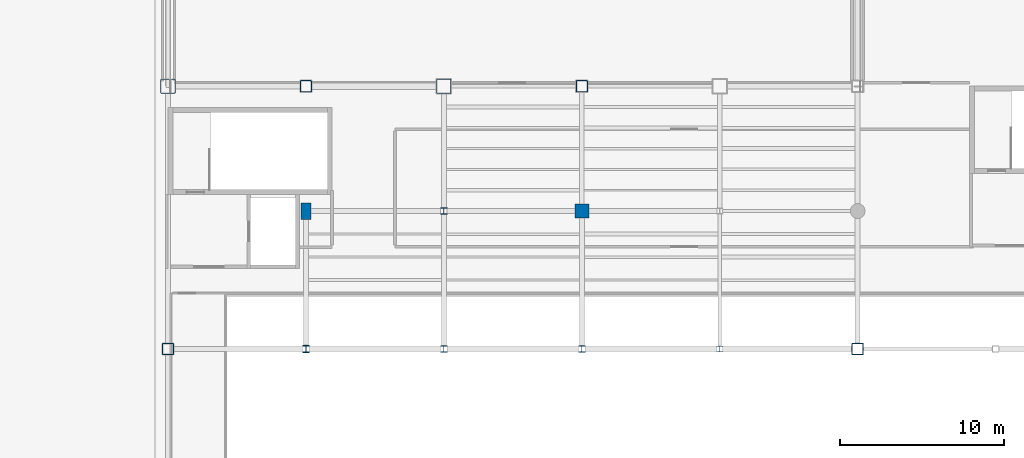
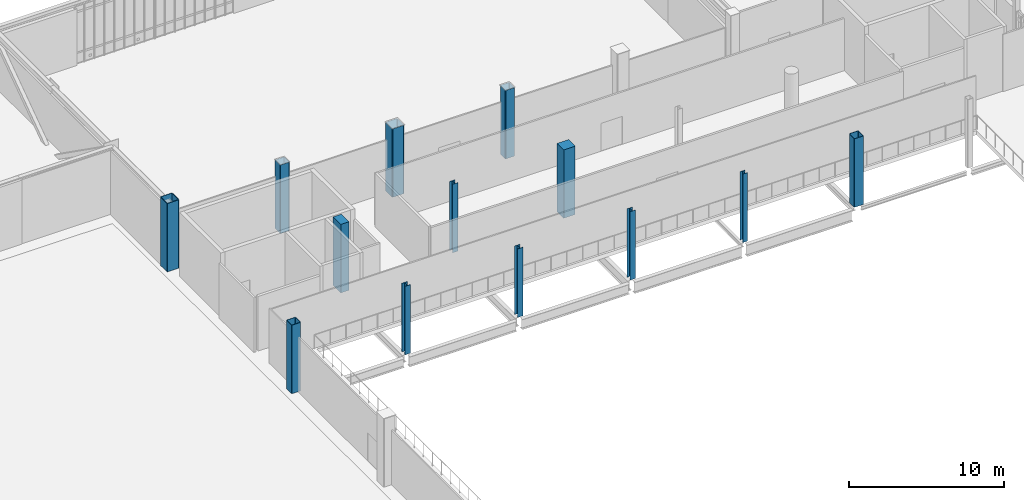
# One storey, part 4 of 135: 13 columns.
"""IFC4 building model written with IfcOpenShell, lengths in metres."""

import ifcopenshell
import ifcopenshell.guid

model = None  # the IFC model being written
_history = None  # IfcOwnerHistory: only IFC2X3 demands one
_inside = {}  # id of a spatial element -> (the spatial element, [elements in it])
_under = {}  # id of a project, library or spatial element -> (it, [spatial elements below it])
_declared = {}  # id of a project -> (the project, [libraries it declares])
_typed = {}  # id of a type object -> (the type object, [elements of that type])
_made_of = {}  # id of a material, layer set ... -> (it, [elements and type objects made of it])


def new_model(schema):
    """Start an empty IFC model of exactly this schema.

    Asked for "IFC4X3", IfcOpenShell would pick the latest addendum, in which some entities
    have other attributes; the version numbers below select the first issue.
    IFC2X3 requires an IfcOwnerHistory on every rooted entity: one is made here for all.
    """
    global model, _history
    if schema == "IFC4X3":
        model = ifcopenshell.file(schema_version=(4, 3, 0, 0))
    else:
        model = ifcopenshell.file(schema=schema)
    _inside.clear()
    _under.clear()
    _declared.clear()
    _typed.clear()
    _made_of.clear()
    _history = None
    if model.schema == "IFC2X3":
        org = make("IfcOrganization", Name="unknown")
        user = make(
            "IfcPersonAndOrganization",
            ThePerson=make("IfcPerson", FamilyName="unknown"),
            TheOrganization=org,
        )
        app = make(
            "IfcApplication",
            ApplicationDeveloper=org,
            Version="unknown",
            ApplicationFullName="unknown",
            ApplicationIdentifier="unknown",
        )
        _history = make(
            "IfcOwnerHistory",
            OwningUser=user,
            OwningApplication=app,
            ChangeAction="ADDED",
            CreationDate=0,
        )
    return model


def make(cls, **values):
    """One entity of the class cls with the attributes given. An attribute that is None is left unset."""
    return model.create_entity(
        cls, **{name: value for name, value in values.items() if value is not None}
    )


def rooted(cls, **values):
    """An entity with a GlobalId (a new one), such as an element, a storey or a relation."""
    return make(cls, GlobalId=ifcopenshell.guid.new(), OwnerHistory=_history, **values)


def si_unit(unit_type, name, prefix=None):
    """IfcSIUnit, for example si_unit("LENGTHUNIT", "METRE", prefix="MILLI")."""
    return make("IfcSIUnit", UnitType=unit_type, Prefix=prefix, Name=name)


def assignment(units):
    """IfcUnitAssignment: the units of a project."""
    return None if units is None else make("IfcUnitAssignment", Units=units)


def point(xyz):
    """IfcCartesianPoint."""
    return None if xyz is None else make("IfcCartesianPoint", Coordinates=xyz)


def direction(xyz):
    """IfcDirection."""
    return None if xyz is None else make("IfcDirection", DirectionRatios=xyz)


def frame(location, z_axis=None, x_axis=None):
    """IfcAxis2Placement3D, a coordinate frame: its origin and axes. An axis left out is left unset."""
    return make(
        "IfcAxis2Placement3D",
        Location=point(location),
        Axis=direction(z_axis),
        RefDirection=direction(x_axis),
    )


def frame_2d(location, x_axis=None):
    """IfcAxis2Placement2D, a coordinate frame in the plane: its origin and x axis."""
    return make(
        "IfcAxis2Placement2D", Location=point(location), RefDirection=direction(x_axis)
    )


def origin():
    """The frame at (0, 0, 0) with its axes left unset."""
    return frame((0.0, 0.0, 0.0))


def origin_2d():
    """The frame at (0, 0) in the plane with its x axis left unset."""
    return frame_2d((0.0, 0.0))


def place(relative_to, where):
    """IfcLocalPlacement: puts the frame where relative to a parent placement (None: the world)."""
    return make(
        "IfcLocalPlacement", PlacementRelTo=relative_to, RelativePlacement=where
    )


def context(
    kind, dimensions, precision=None, world=None, true_north=None, identifier=None
):
    """IfcGeometricRepresentationContext, for example the 3D "Model" context."""
    return make(
        "IfcGeometricRepresentationContext",
        ContextIdentifier=identifier,
        ContextType=kind,
        CoordinateSpaceDimension=dimensions,
        Precision=precision,
        WorldCoordinateSystem=world,
        TrueNorth=true_north,
    )


def subcontext(parent, identifier, kind, view, scale=None):
    """IfcGeometricRepresentationSubContext, for example "Body" below "Model"."""
    return make(
        "IfcGeometricRepresentationSubContext",
        ContextIdentifier=identifier,
        ContextType=kind,
        ParentContext=parent,
        TargetScale=scale,
        TargetView=view,
    )


def project(units=None, contexts=None):
    """IfcProject with its units and contexts."""
    return rooted(
        "IfcProject",
        Name="project",
        RepresentationContexts=contexts,
        UnitsInContext=assignment(units),
    )


def spatial(cls, under=None, at=None, **own):
    """A site, building, storey or space (cls), placed at a placement, below another one or the project."""
    s = rooted(cls, ObjectPlacement=at, **own)
    if under is not None:
        _under.setdefault(under.id(), (under, []))[1].append(s)
    return s


def profile(cls, at=None, kind="AREA", **sizes):
    """A parametric profile (cls). Its sizes go by their IFC names, for example OverallWidth=200.0."""
    return make(cls, ProfileType=kind, Position=at, **sizes)


def rectangle(**sizes):
    """IfcRectangleProfileDef."""
    return profile("IfcRectangleProfileDef", **sizes)


def hollow_rectangle(**sizes):
    """IfcRectangleHollowProfileDef."""
    return profile("IfcRectangleHollowProfileDef", **sizes)


def i_section(**sizes):
    """IfcIShapeProfileDef."""
    return profile("IfcIShapeProfileDef", **sizes)


def extrude(swept, where, along, depth):
    """IfcExtrudedAreaSolid: the profile swept, set in the frame where, extruded along a direction by depth."""
    return make(
        "IfcExtrudedAreaSolid",
        SweptArea=swept,
        Position=where,
        ExtrudedDirection=direction(along),
        Depth=depth,
    )


def shape(context_of_items, identifier, shape_type, items):
    """IfcShapeRepresentation: the items that make up one representation, for example the "Body"."""
    return make(
        "IfcShapeRepresentation",
        ContextOfItems=context_of_items,
        RepresentationIdentifier=identifier,
        RepresentationType=shape_type,
        Items=items,
    )


def material(Name=None, Category=None):
    """IfcMaterial."""
    return make("IfcMaterial", Name=Name, Category=Category)


def material_profile(
    of_material, cross_section, Name=None, Category=None, Priority=None
):
    """IfcMaterialProfile: a cross section and its material."""
    return make(
        "IfcMaterialProfile",
        Name=Name,
        Material=of_material,
        Profile=cross_section,
        Priority=Priority,
        Category=Category,
    )


def profile_set(profiles, Name=None, composite=None):
    """IfcMaterialProfileSet."""
    return make(
        "IfcMaterialProfileSet",
        Name=Name,
        MaterialProfiles=profiles,
        CompositeProfile=composite,
    )


def made_of(thing, what):
    """Note that an element or type object is made of a material, layer set ...; save() writes the relation."""
    if what is not None:
        _made_of.setdefault(what.id(), (what, []))[1].append(thing)
    return thing


def type_object(cls, material=None, **own):
    """A type object (cls), such as IfcWallType, which elements share."""
    return made_of(rooted(cls, **own), material)


def element(
    cls,
    number,
    at=None,
    inside=None,
    cuts=None,
    type_object=None,
    material=None,
    context=None,
    identifier="Body",
    shape_type=None,
    held_by="IfcProductDefinitionShape",
    body=None,
    shapes=None,
    **own,
):
    """One element of the class cls, such as IfcWall. Its Tag is "e" and its number.

    at: its placement. inside: the storey or other place that contains it. cuts: it is an
    opening in that element (IfcRelVoidsElement). A single representation is given by context,
    identifier, shape_type and body (its items); several are given by shapes. held_by: the class
    of the entity that holds the representations. save() writes the other relations.
    """
    e = rooted(cls, Tag="e%d" % number, ObjectPlacement=at, **own)
    if body is not None:
        shapes = [shape(context, identifier, shape_type, body)]
    if shapes is not None:
        e.Representation = make(held_by, Representations=shapes)
    if inside is not None:
        _inside.setdefault(inside.id(), (inside, []))[1].append(e)
    if cuts is not None:
        rooted(
            "IfcRelVoidsElement", RelatingBuildingElement=cuts, RelatedOpeningElement=e
        )
    if type_object is not None:
        _typed.setdefault(type_object.id(), (type_object, []))[1].append(e)
    return made_of(e, material)


def aggregate(whole, parts):
    """IfcRelAggregates: a whole, such as a stair, and the parts it consists of."""
    return rooted("IfcRelAggregates", RelatingObject=whole, RelatedObjects=parts)


def save(model, path):
    """Write the relations noted so far, then the file.

    IfcRelAggregates (storeys below a building ...), IfcRelContainedInSpatialStructure (elements
    in a storey), IfcRelDefinesByType, IfcRelAssociatesMaterial and IfcRelDeclares: one each for
    every whole, place, type object, material and project.
    """
    for whole, parts in _under.values():
        aggregate(whole, parts)
    for where, things in _inside.values():
        rooted(
            "IfcRelContainedInSpatialStructure",
            RelatedElements=things,
            RelatingStructure=where,
        )
    for kind, things in _typed.values():
        rooted("IfcRelDefinesByType", RelatedObjects=things, RelatingType=kind)
    for what, things in _made_of.values():
        rooted("IfcRelAssociatesMaterial", RelatedObjects=things, RelatingMaterial=what)
    for by, libraries in _declared.values():
        rooted("IfcRelDeclares", RelatingContext=by, RelatedDefinitions=libraries)
    model.write(path)


model = new_model("IFC4")

# Units and contexts
model_context = context("Model", 3, precision=1e-05, world=origin(), true_north=direction((0.0, 1.0)))
body_context = subcontext(model_context, "Body", "Model", "MODEL_VIEW")
ifc_project = project(units=[si_unit("LENGTHUNIT", "METRE"), si_unit("AREAUNIT", "SQUARE_METRE"), si_unit("VOLUMEUNIT", "CUBIC_METRE"), si_unit("PLANEANGLEUNIT", "RADIAN"), si_unit("MASSUNIT", "GRAM", prefix="KILO")], contexts=[model_context])

# Site, building, storey
site_placement = place(None, origin())
site = spatial("IfcSite", under=ifc_project, at=site_placement, CompositionType="ELEMENT")
building_placement = place(site_placement, origin())
building = spatial("IfcBuilding", under=site, at=building_placement, Name="Larkvane Passage Sports Hall", CompositionType="ELEMENT")
storey_placement = place(building_placement, frame((0.0, 0.0, 16.800048828125)))
storey = spatial("IfcBuildingStorey", under=building, at=storey_placement, Name="L03", CompositionType="ELEMENT", Elevation=16.800048828125)

# Columns
ifc_material_1 = material(Name="Concrete C40/50", Category="concrete")
ifc_material_profile_1 = material_profile(ifc_material_1, rectangle(XDim=0.60009765625, YDim=1.0, at=origin_2d()), Name="RC-COL-600x1000")
ifc_profile_set_1 = profile_set([ifc_material_profile_1], Name="Concrete C40/50")
column_type_1 = type_object("IfcColumnType", Name="COL-RC-600x1000", PredefinedType="COLUMN", material=ifc_profile_set_1)
column_1_placement = place(storey_placement, frame((43.199951171875, 84.0, 0.0), z_axis=(0.0, 0.0, 1.0), x_axis=(1.0, 0.0, 0.0)))
element("IfcColumn", 1, at=column_1_placement, inside=storey, type_object=column_type_1, Name="Column 7/K L03", PredefinedType="COLUMN", context=body_context, shape_type="SweptSolid", body=[
    extrude(rectangle(XDim=0.60009765625, YDim=1.0, at=origin_2d()), origin(), (0.0, 0.0, 1.0), 5.39990234375),
])
ifc_material_2 = material(Name="Concrete C50/60", Category="concrete")
ifc_material_profile_2 = material_profile(ifc_material_2, rectangle(XDim=0.85009765625, YDim=0.85009765625, at=origin_2d()), Name="RC-COL-850x850")
ifc_profile_set_2 = profile_set([ifc_material_profile_2], Name="Concrete C50/60")
column_type_2 = type_object("IfcColumnType", Name="COL-RC-850", PredefinedType="COLUMN", material=ifc_profile_set_2)
column_2_placement = place(storey_placement, frame((60.0, 84.0, 0.0), z_axis=(0.0, 0.0, 1.0), x_axis=(1.0, 0.0, 0.0)))
element("IfcColumn", 2, at=column_2_placement, inside=storey, type_object=column_type_2, Name="Column 9/K L03", PredefinedType="COLUMN", context=body_context, shape_type="SweptSolid", body=[
    extrude(rectangle(XDim=0.85009765625, YDim=0.85009765625, at=origin_2d()), origin(), (0.0, 0.0, 1.0), 5.39990234375),
])
ifc_material_3 = material(Name="Steel S460N", Category="steel")
ifc_material_profile_3 = material_profile(ifc_material_3, hollow_rectangle(XDim=0.699951171875, YDim=0.699951171875, WallThickness=0.028076171875, InnerFilletRadius=0.028076171875, OuterFilletRadius=0.055908203125, at=origin_2d()), Name="BOX-700x700x28")
ifc_profile_set_3 = profile_set([ifc_material_profile_3], Name="Steel S460N")
column_type_3 = type_object("IfcColumnType", Name="COL-STL-BOX700", PredefinedType="COLUMN", material=ifc_profile_set_3)
for number, where, z_axis, x_axis, name in (
    (3, (34.800048828125, 75.60009765625, 0.0), (0.0, 0.0, 1.0), (1.0, 0.0, 0.0), "Column 6/J L03"),
    (4, (43.199951171875, 91.60009765625, 0.0), (0.0, 0.0, 1.0), (1.0, 0.0, 0.0), "Column 7/L L03"),
    (5, (60.0, 91.60009765625, 0.0), (0.0, 0.0, 1.0), (1.0, 0.0, 0.0), "Column 9/L L03"),
    (6, (76.800048828125, 75.60009765625, 0.0), (0.0, 0.0, 1.0), (1.0, 0.0, 0.0), "Column 11/J L03"),
):
    element("IfcColumn", number, at=place(storey_placement, frame(where, z_axis=z_axis, x_axis=x_axis)), inside=storey, type_object=column_type_3, Name=name, PredefinedType="COLUMN", context=body_context, shape_type="SweptSolid", body=[
        extrude(hollow_rectangle(XDim=0.699951171875, YDim=0.699951171875, WallThickness=0.028076171875, InnerFilletRadius=0.028076171875, OuterFilletRadius=0.055908203125, at=origin_2d()), origin(), (0.0, 0.0, 1.0), 5.39990234375),
    ])
ifc_material_profile_4 = material_profile(ifc_material_3, hollow_rectangle(XDim=0.89990234375, YDim=0.89990234375, WallThickness=0.035888671875, InnerFilletRadius=0.035888671875, OuterFilletRadius=0.072021484375, at=origin_2d()), Name="BOX-900x900x36")
ifc_profile_set_4 = profile_set([ifc_material_profile_4], Name="Steel S460N")
column_type_4 = type_object("IfcColumnType", Name="COL-STL-BOX900", PredefinedType="COLUMN", material=ifc_profile_set_4)
for number, where, z_axis, x_axis, name in (
    (7, (34.800048828125, 91.60009765625, 0.0), (0.0, 0.0, 1.0), (1.0, 0.0, 0.0), "Column 6/L L03"),
    (8, (51.60009765625, 91.60009765625, 0.0), (0.0, 0.0, 1.0), (1.0, 0.0, 0.0), "Column 8/L L03"),
):
    element("IfcColumn", number, at=place(storey_placement, frame(where, z_axis=z_axis, x_axis=x_axis)), inside=storey, type_object=column_type_4, Name=name, PredefinedType="COLUMN", context=body_context, shape_type="SweptSolid", body=[
        extrude(hollow_rectangle(XDim=0.89990234375, YDim=0.89990234375, WallThickness=0.035888671875, InnerFilletRadius=0.035888671875, OuterFilletRadius=0.072021484375, at=origin_2d()), origin(), (0.0, 0.0, 1.0), 5.39990234375),
    ])
ifc_material_4 = material(Name="Steel S355JR", Category="steel")
ifc_material_profile_5 = material_profile(ifc_material_4, i_section(OverallWidth=0.35009765625, OverallDepth=0.35009765625, WebThickness=0.011962890625, FlangeThickness=0.01904296875, FilletRadius=0.012939453125, at=origin_2d()), Name="H-350x350x12x19")
ifc_profile_set_5 = profile_set([ifc_material_profile_5], Name="Steel S355JR")
column_type_5 = type_object("IfcColumnType", Name="COL-STL-H350", PredefinedType="COLUMN", material=ifc_profile_set_5)
column_3_placement = place(storey_placement, frame((68.39990234375, 75.60009765625, 0.0), z_axis=(0.0, 0.0, 1.0), x_axis=(1.0, 0.0, 0.0)))
element("IfcColumn", 9, at=column_3_placement, inside=storey, type_object=column_type_5, Name="Column 10/J L03", PredefinedType="COLUMN", context=body_context, shape_type="SweptSolid", body=[
    extrude(i_section(OverallWidth=0.35009765625, OverallDepth=0.35009765625, WebThickness=0.011962890625, FlangeThickness=0.01904296875, FilletRadius=0.012939453125, at=origin_2d()), origin(), (0.0, 0.0, 1.0), 5.39990234375),
])
ifc_material_profile_6 = material_profile(ifc_material_4, i_section(OverallWidth=0.39990234375, OverallDepth=0.39990234375, WebThickness=0.012939453125, FlangeThickness=0.02099609375, FilletRadius=0.02197265625, at=origin_2d()), Name="H-400x400x13x21")
ifc_profile_set_6 = profile_set([ifc_material_profile_6], Name="Steel S355JR")
column_type_6 = type_object("IfcColumnType", Name="COL-STL-H400", PredefinedType="COLUMN", material=ifc_profile_set_6)
for number, where, z_axis, x_axis, name in (
    (10, (51.60009765625, 84.0, 0.0), (0.0, 0.0, 1.0), (1.0, 0.0, 0.0), "Column 8/K L03"),
    (11, (60.0, 75.60009765625, 0.0), (0.0, 0.0, 1.0), (1.0, 0.0, 0.0), "Column 9/J L03"),
):
    element("IfcColumn", number, at=place(storey_placement, frame(where, z_axis=z_axis, x_axis=x_axis)), inside=storey, type_object=column_type_6, Name=name, PredefinedType="COLUMN", context=body_context, shape_type="SweptSolid", body=[
        extrude(i_section(OverallWidth=0.39990234375, OverallDepth=0.39990234375, WebThickness=0.012939453125, FlangeThickness=0.02099609375, FilletRadius=0.02197265625, at=origin_2d()), origin(), (0.0, 0.0, 1.0), 5.39990234375),
    ])
ifc_material_profile_7 = material_profile(ifc_material_3, i_section(OverallWidth=0.405029296875, OverallDepth=0.4140625, WebThickness=0.01806640625, FlangeThickness=0.028076171875, FilletRadius=0.02197265625, at=origin_2d()), Name="H-414x405x18x28")
ifc_profile_set_7 = profile_set([ifc_material_profile_7], Name="Steel S460N")
column_type_7 = type_object("IfcColumnType", Name="COL-STL-H414", PredefinedType="COLUMN", material=ifc_profile_set_7)
column_4_placement = place(storey_placement, frame((51.60009765625, 75.60009765625, 0.0), z_axis=(0.0, 0.0, 1.0), x_axis=(1.0, 0.0, 0.0)))
element("IfcColumn", 12, at=column_4_placement, inside=storey, type_object=column_type_7, Name="Column 8/J L03", PredefinedType="COLUMN", context=body_context, shape_type="SweptSolid", body=[
    extrude(i_section(OverallWidth=0.405029296875, OverallDepth=0.4140625, WebThickness=0.01806640625, FlangeThickness=0.028076171875, FilletRadius=0.02197265625, at=origin_2d()), origin(), (0.0, 0.0, 1.0), 5.39990234375),
])
ifc_material_profile_8 = material_profile(ifc_material_3, i_section(OverallWidth=0.406982421875, OverallDepth=0.427978515625, WebThickness=0.02001953125, FlangeThickness=0.034912109375, FilletRadius=0.02197265625, at=origin_2d()), Name="H-428x407x20x35")
ifc_profile_set_8 = profile_set([ifc_material_profile_8], Name="Steel S460N")
column_type_8 = type_object("IfcColumnType", Name="COL-STL-H428", PredefinedType="COLUMN", material=ifc_profile_set_8)
column_5_placement = place(storey_placement, frame((43.199951171875, 75.60009765625, 0.0), z_axis=(0.0, 0.0, 1.0), x_axis=(1.0, 0.0, 0.0)))
element("IfcColumn", 13, at=column_5_placement, inside=storey, type_object=column_type_8, Name="Column 7/J L03", PredefinedType="COLUMN", context=body_context, shape_type="SweptSolid", body=[
    extrude(i_section(OverallWidth=0.406982421875, OverallDepth=0.427978515625, WebThickness=0.02001953125, FlangeThickness=0.034912109375, FilletRadius=0.02197265625, at=origin_2d()), origin(), (0.0, 0.0, 1.0), 5.39990234375),
])

save(model, "model.ifc")
